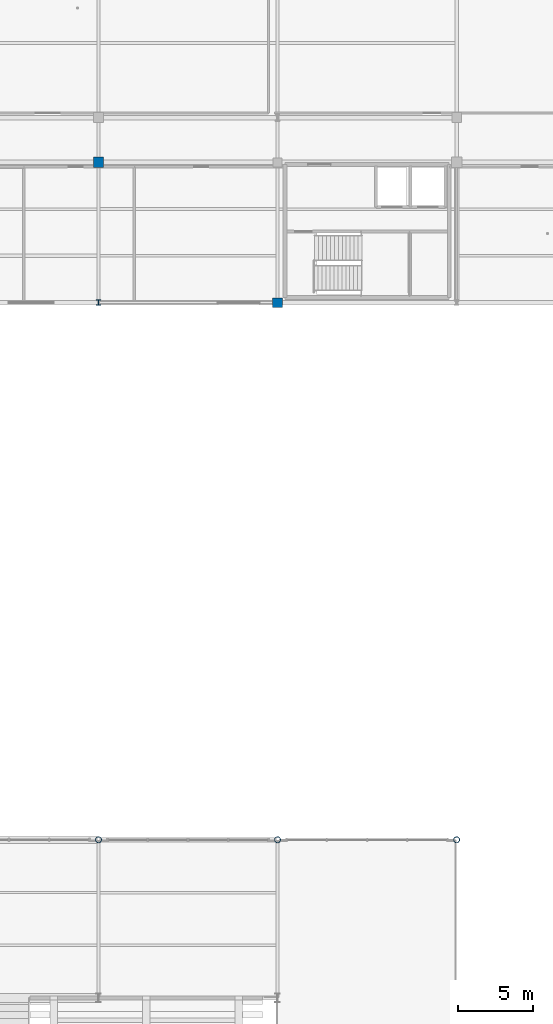
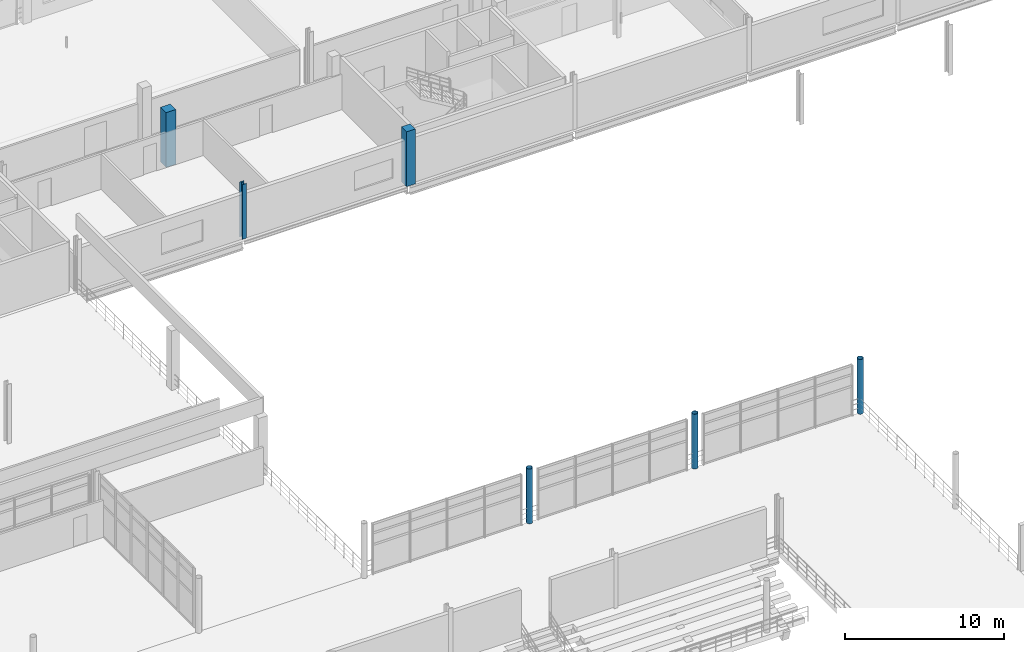
# One storey, part 13 of 89: 6 columns.
"""IFC4 building model written with IfcOpenShell, lengths in metres."""

from ifc_helpers import new_model, si_unit, direction, frame, origin, origin_2d, place, context, subcontext, project, spatial, rectangle, hollow_circle, i_section, extrude, material, material_profile, profile_set, type_object, element, save


model = new_model("IFC4")

# Units and contexts
model_context = context("Model", 3, precision=1e-05, world=origin(), true_north=direction((0.0, 1.0)))
body_context = subcontext(model_context, "Body", "Model", "MODEL_VIEW")
ifc_project = project(units=[si_unit("LENGTHUNIT", "METRE"), si_unit("AREAUNIT", "SQUARE_METRE"), si_unit("VOLUMEUNIT", "CUBIC_METRE"), si_unit("PLANEANGLEUNIT", "RADIAN"), si_unit("MASSUNIT", "GRAM", prefix="KILO"), si_unit("THERMODYNAMICTEMPERATUREUNIT", "KELVIN"), si_unit("POWERUNIT", "WATT")], contexts=[model_context])

# Site, building, storey
site_placement = place(None, origin())
site = spatial("IfcSite", under=ifc_project, at=site_placement, CompositionType="ELEMENT")
building_placement = place(site_placement, origin())
building = spatial("IfcBuilding", under=site, at=building_placement, Name="Solmara Park Aquatics Centre", CompositionType="ELEMENT")
storey_placement = place(building_placement, frame((0.0, 0.0, 5.39990234375)))
storey = spatial("IfcBuildingStorey", under=building, at=storey_placement, Name="L01", CompositionType="ELEMENT", Elevation=5.39990234375)

# Columns
ifc_material_1 = material(Name="Structural Steel S355", Category="steel")
ifc_material_profile_1 = material_profile(ifc_material_1, hollow_circle(Radius=0.203125, WallThickness=0.01611328125, at=origin_2d()), Name="CHS 406.4x16")
ifc_profile_set_1 = profile_set([ifc_material_profile_1], Name="Structural Steel S355")
column_type_1 = type_object("IfcColumnType", Name="STR-COL-CHS406", PredefinedType="COLUMN", material=ifc_profile_set_1)
for number, where, z_axis, x_axis, name in (
    (1, (72.60009765625, 72.60009765625, 0.0), (0.0, 0.0, 1.0), (1.0, 0.0, 0.0), "Column L01-0371"),
    (2, (84.60009765625, 72.60009765625, 0.0), (0.0, 0.0, 1.0), (1.0, 0.0, 0.0), "Column L01-0379"),
    (3, (96.60009765625, 72.60009765625, 0.0), (0.0, 0.0, 1.0), (1.0, 0.0, 0.0), "Column L01-0389"),
):
    element("IfcColumn", number, at=place(storey_placement, frame(where, z_axis=z_axis, x_axis=x_axis)), inside=storey, type_object=column_type_1, Name=name, PredefinedType="COLUMN", context=body_context, shape_type="SweptSolid", body=[
        extrude(hollow_circle(Radius=0.203125, WallThickness=0.01611328125, at=origin_2d()), origin(), (0.0, 0.0, 1.0), 4.2001953125),
    ])
ifc_material_2 = material(Name="Concrete C40/50", Category="concrete")
ifc_material_profile_2 = material_profile(ifc_material_2, rectangle(XDim=0.64990234375, YDim=0.64990234375, at=origin_2d()), Name="RC 650x650")
ifc_profile_set_2 = profile_set([ifc_material_profile_2], Name="Concrete C40/50")
column_type_2 = type_object("IfcColumnType", Name="STR-COL-RC650", PredefinedType="COLUMN", material=ifc_profile_set_2)
column_1_placement = place(storey_placement, frame((84.60009765625, 108.60009765625, 0.0), z_axis=(0.0, 0.0, 1.0), x_axis=(1.0, 0.0, 0.0)))
element("IfcColumn", 4, at=column_1_placement, inside=storey, type_object=column_type_2, Name="Column L01-0380", PredefinedType="COLUMN", context=body_context, shape_type="SweptSolid", body=[
    extrude(rectangle(XDim=0.64990234375, YDim=0.64990234375, at=origin_2d()), origin(), (0.0, 0.0, 1.0), 4.2001953125),
])
ifc_material_profile_3 = material_profile(ifc_material_2, rectangle(XDim=0.699951171875, YDim=0.699951171875, at=origin_2d()), Name="RC 700x700")
ifc_profile_set_3 = profile_set([ifc_material_profile_3], Name="Concrete C40/50")
column_type_3 = type_object("IfcColumnType", Name="STR-COL-RC700", PredefinedType="COLUMN", material=ifc_profile_set_3)
column_2_placement = place(storey_placement, frame((72.60009765625, 118.0, 0.0), z_axis=(0.0, 0.0, 1.0), x_axis=(1.0, 0.0, 0.0)))
element("IfcColumn", 5, at=column_2_placement, inside=storey, type_object=column_type_3, Name="Column L01-0373", PredefinedType="COLUMN", context=body_context, shape_type="SweptSolid", body=[
    extrude(rectangle(XDim=0.699951171875, YDim=0.699951171875, at=origin_2d()), origin(), (0.0, 0.0, 1.0), 4.2001953125),
])
ifc_material_profile_4 = material_profile(ifc_material_1, i_section(OverallWidth=0.300048828125, OverallDepth=0.360107421875, WebThickness=0.012451171875, FlangeThickness=0.0224609375, FilletRadius=0.027099609375, at=origin_2d()), Name="HEB 360")
ifc_profile_set_4 = profile_set([ifc_material_profile_4], Name="Structural Steel S355")
column_type_4 = type_object("IfcColumnType", Name="STR-PIL-HEB360", PredefinedType="PILASTER", material=ifc_profile_set_4)
column_3_placement = place(storey_placement, frame((72.60009765625, 108.60009765625, 0.0), z_axis=(0.0, 0.0, 1.0), x_axis=(1.0, 0.0, 0.0)))
element("IfcColumn", 6, at=column_3_placement, inside=storey, type_object=column_type_4, Name="Column L01-0372", PredefinedType="PILASTER", context=body_context, shape_type="SweptSolid", body=[
    extrude(i_section(OverallWidth=0.300048828125, OverallDepth=0.360107421875, WebThickness=0.012451171875, FlangeThickness=0.0224609375, FilletRadius=0.027099609375, at=origin_2d()), origin(), (0.0, 0.0, 1.0), 4.2001953125),
])

save(model, "model.ifc")
